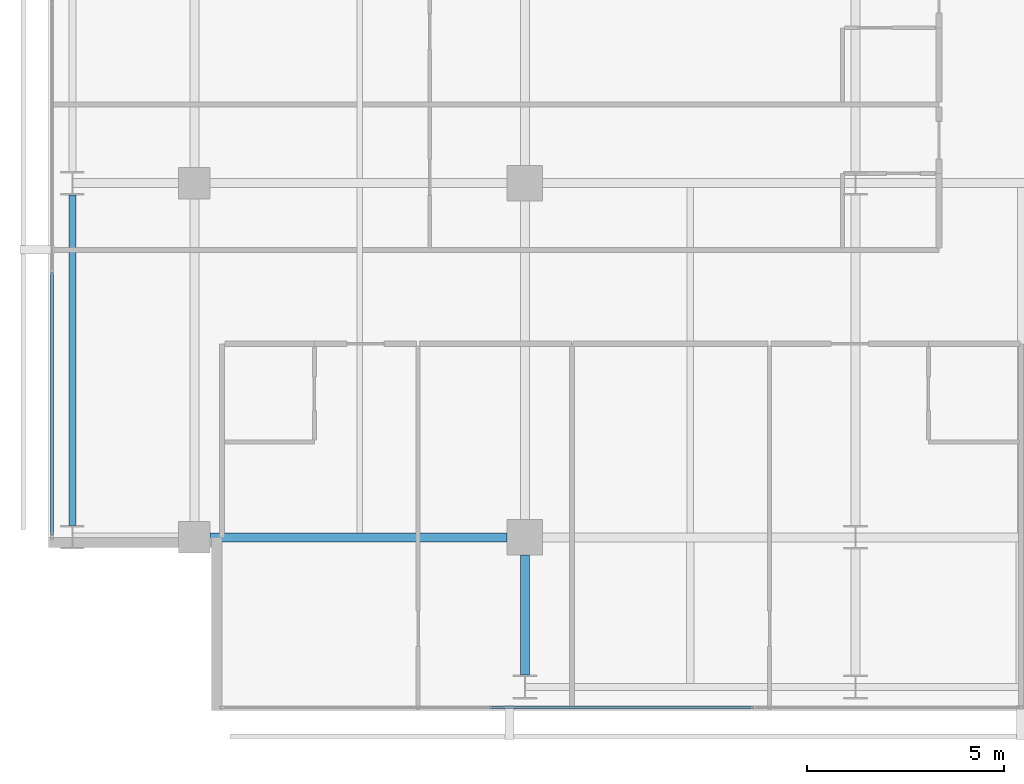
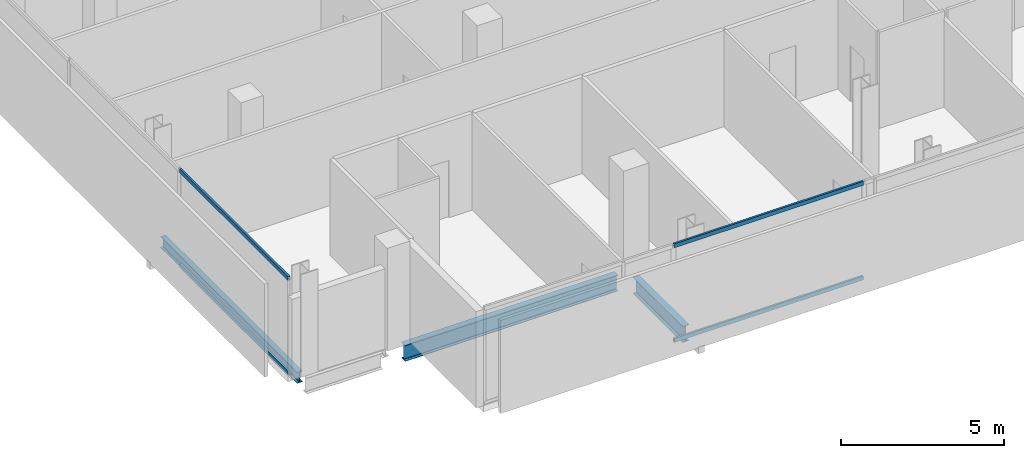
# One storey, part 3 of 34: 4 members, 3 beams, 2 elements without a shape of their own.
"""IFC4 building model written with IfcOpenShell, lengths in metres."""

from ifc_helpers import new_model, si_unit, direction, frame, origin, origin_2d, place, context, subcontext, project, spatial, hollow_rectangle, i_section, extrude, material, layer, layer_set, material_profile, profile_set, type_object, element, aggregate, save


model = new_model("IFC4")

# Units and contexts
model_context = context("Model", 3, precision=1e-05, world=origin(), true_north=direction((0.0, 1.0)))
body_context = subcontext(model_context, "Body", "Model", "MODEL_VIEW")
ifc_project = project(units=[si_unit("LENGTHUNIT", "METRE"), si_unit("AREAUNIT", "SQUARE_METRE"), si_unit("VOLUMEUNIT", "CUBIC_METRE"), si_unit("PLANEANGLEUNIT", "RADIAN"), si_unit("MASSUNIT", "GRAM", prefix="KILO")], contexts=[model_context])

# Site, building, storey
site_placement = place(None, origin())
site = spatial("IfcSite", under=ifc_project, at=site_placement, CompositionType="ELEMENT")
building_placement = place(site_placement, origin())
building = spatial("IfcBuilding", under=site, at=building_placement, Name="Maruvema Waterfront Hotel and Observation Tower", CompositionType="ELEMENT")
storey_placement = place(building_placement, frame((0.0, 0.0, 189.0)))
storey = spatial("IfcBuildingStorey", under=building, at=storey_placement, Name="L46", CompositionType="ELEMENT", Elevation=189.0)

# Curtain wall, members
ifc_material_1 = material(Name="Anodised bronze aluminium and solar-control low-E IGU", Category="aluminium")
ifc_layer = layer(ifc_material_1, 0.159912109375, Name="Zone 2 Amber Inner Thermal Curtain Wall System CW-03")
ifc_layer_set = layer_set([ifc_layer], Name="Anodised bronze aluminium and solar-control low-E IGU")
curtain_wall_type = type_object("IfcCurtainWallType", Name="Zone 2 Amber Inner Thermal Curtain Wall System CW-03", PredefinedType="USERDEFINED", material=ifc_layer_set)
curtain_wall_1_placement = place(storey_placement, origin())
curtain_wall_1 = element("IfcCurtainWall", 1, at=curtain_wall_1_placement, inside=storey, type_object=curtain_wall_type, Name="L46 Curtain Wall CW-L46-S", ObjectType="UNITISED CURTAIN WALL", PredefinedType="USERDEFINED")
ifc_material_2 = material(Name="Anodised architectural bronze aluminium", Category="aluminium")
ifc_material_profile_1 = material_profile(ifc_material_2, hollow_rectangle(XDim=0.070068359375, YDim=0.14990234375, WallThickness=0.00390625, at=origin_2d()), Name="ALU-T70x150")
ifc_profile_set_1 = profile_set([ifc_material_profile_1], Name="Anodised architectural bronze aluminium")
member_type = type_object("IfcMemberType", Name="Curtain Wall Horizontal Transom ALU-T70x150", PredefinedType="USERDEFINED", material=ifc_profile_set_1)
member_1_placement = place(storey_placement, frame((24.296630859375, 4.679931640625, 0.030029296875), z_axis=(1.0, 0.0, 0.0), x_axis=(0.0, 1.0, 0.0)))
member_1 = element("IfcMember", 2, at=member_1_placement, type_object=member_type, Name="CW-03 transom 2.1", ObjectType="TRANSOM", PredefinedType="USERDEFINED", context=body_context, shape_type="SweptSolid", body=[
    extrude(hollow_rectangle(XDim=0.070068359375, YDim=0.14990234375, WallThickness=0.00390625, at=origin_2d()), origin(), (0.0, 0.0, 1.0), 6.706787109375),
])
member_2_placement = place(storey_placement, frame((24.296630859375, 4.679931640625, 3.580078125), z_axis=(1.0, 0.0, 0.0), x_axis=(0.0, 1.0, 0.0)))
member_2 = element("IfcMember", 3, at=member_2_placement, type_object=member_type, Name="CW-03 transom 2.2", ObjectType="TRANSOM", PredefinedType="USERDEFINED", context=body_context, shape_type="SweptSolid", body=[
    extrude(hollow_rectangle(XDim=0.070068359375, YDim=0.14990234375, WallThickness=0.00390625, at=origin_2d()), origin(), (0.0, 0.0, 1.0), 6.706787109375),
])
aggregate(curtain_wall_1, [member_1, member_2])

curtain_wall_2_placement = place(storey_placement, origin())
curtain_wall_2 = element("IfcCurtainWall", 4, at=curtain_wall_2_placement, inside=storey, type_object=curtain_wall_type, Name="L46 Curtain Wall CW-L46-W", ObjectType="UNITISED CURTAIN WALL", PredefinedType="USERDEFINED")
member_3_placement = place(storey_placement, frame((13.179931640625, 15.736572265625, 0.030029296875), z_axis=(0.0, -1.0, 0.0), x_axis=(1.0, 0.0, 0.0)))
member_3 = element("IfcMember", 5, at=member_3_placement, type_object=member_type, Name="CW-03 transom 6.1", ObjectType="TRANSOM", PredefinedType="USERDEFINED", context=body_context, shape_type="SweptSolid", body=[
    extrude(hollow_rectangle(XDim=0.070068359375, YDim=0.14990234375, WallThickness=0.00390625, at=origin_2d()), origin(), (0.0, 0.0, 1.0), 6.676513671875),
])
member_4_placement = place(storey_placement, frame((13.179931640625, 15.736572265625, 3.580078125), z_axis=(0.0, -1.0, 0.0), x_axis=(1.0, 0.0, 0.0)))
member_4 = element("IfcMember", 6, at=member_4_placement, type_object=member_type, Name="CW-03 transom 6.2", ObjectType="TRANSOM", PredefinedType="USERDEFINED", context=body_context, shape_type="SweptSolid", body=[
    extrude(hollow_rectangle(XDim=0.070068359375, YDim=0.14990234375, WallThickness=0.00390625, at=origin_2d()), origin(), (0.0, 0.0, 1.0), 6.676513671875),
])
aggregate(curtain_wall_2, [member_3, member_4])

# Beams
ifc_material_3 = material(Name="Steel ASTM A572 Grade 50", Category="steel")
ifc_material_profile_2 = material_profile(ifc_material_3, i_section(OverallWidth=0.180908203125, OverallDepth=0.4169921875, WebThickness=0.010986328125, FlangeThickness=0.018310546875, FilletRadius=0.014892578125, at=origin_2d()), Name="W410x85.0")
ifc_profile_set_2 = profile_set([ifc_material_profile_2], Name="Steel ASTM A572 Grade 50")
beam_type_1 = type_object("IfcBeamType", Name="Perimeter Spandrel Beam W410x85.0", PredefinedType="SPANDREL", material=ifc_profile_set_2)
beam_1_placement = place(storey_placement, frame((13.699951171875, 9.300048828125, -0.448486328125), z_axis=(0.0, 1.0, 0.0), x_axis=(-1.0, 0.0, 0.0)))
element("IfcBeam", 7, at=beam_1_placement, inside=storey, type_object=beam_type_1, Name="L46 Floor Girder NS-01", PredefinedType="SPANDREL", context=body_context, shape_type="SweptSolid", body=[
    extrude(i_section(OverallWidth=0.180908203125, OverallDepth=0.4169921875, WebThickness=0.010986328125, FlangeThickness=0.018310546875, FilletRadius=0.014892578125, at=origin_2d()), origin(), (0.0, 0.0, 1.0), 8.39990234375),
])
ifc_material_4 = material(Name="Steel ASTM A572 Grade 50", Category="steel")
ifc_material_profile_3 = material_profile(ifc_material_4, i_section(OverallWidth=0.22802734375, OverallDepth=0.60302734375, WebThickness=0.010498046875, FlangeThickness=0.014892578125, FilletRadius=0.01806640625, at=origin_2d()), Name="W610x101.0")
ifc_profile_set_3 = profile_set([ifc_material_profile_3], Name="Steel ASTM A572 Grade 50")
beam_type_2 = type_object("IfcBeamType", Name="Primary Floor Girder W610x101.0", PredefinedType="BEAM", material=ifc_profile_set_3)
beam_2_placement = place(storey_placement, frame((17.199951171875, 9.0, -0.54150390625), z_axis=(1.0, 0.0, 0.0), x_axis=(0.0, 1.0, 0.0)))
element("IfcBeam", 8, at=beam_2_placement, inside=storey, type_object=beam_type_2, Name="L46 Floor Girder EW-05", PredefinedType="BEAM", context=body_context, shape_type="SweptSolid", body=[
    extrude(i_section(OverallWidth=0.22802734375, OverallDepth=0.60302734375, WebThickness=0.010498046875, FlangeThickness=0.014892578125, FilletRadius=0.01806640625, at=origin_2d()), origin(), (0.0, 0.0, 1.0), 7.550048828125),
])
beam_3_placement = place(storey_placement, frame((25.199951171875, 5.5, -0.54150390625), z_axis=(0.0, 1.0, 0.0), x_axis=(-1.0, 0.0, 0.0)))
element("IfcBeam", 9, at=beam_3_placement, inside=storey, type_object=beam_type_2, Name="L46 Floor Girder NS-09", PredefinedType="BEAM", context=body_context, shape_type="SweptSolid", body=[
    extrude(i_section(OverallWidth=0.22802734375, OverallDepth=0.60302734375, WebThickness=0.010498046875, FlangeThickness=0.014892578125, FilletRadius=0.01806640625, at=origin_2d()), origin(), (0.0, 0.0, 1.0), 3.050048828125),
])

save(model, "model.ifc")
